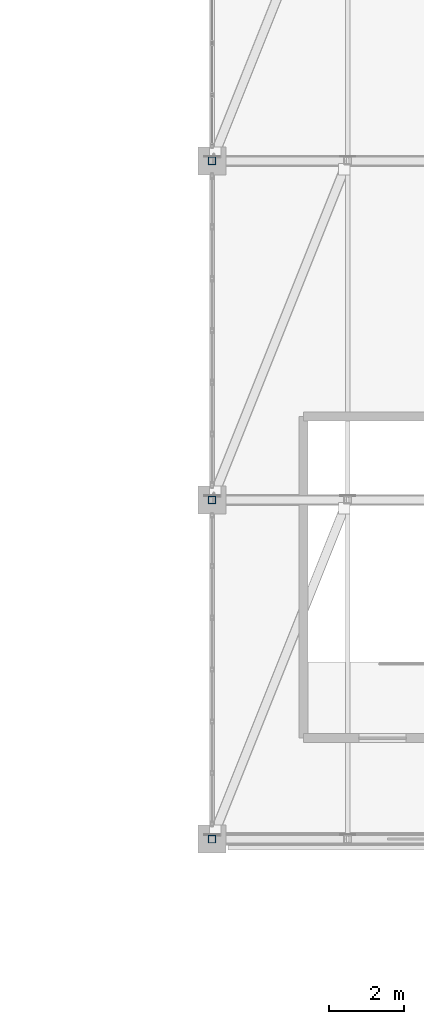
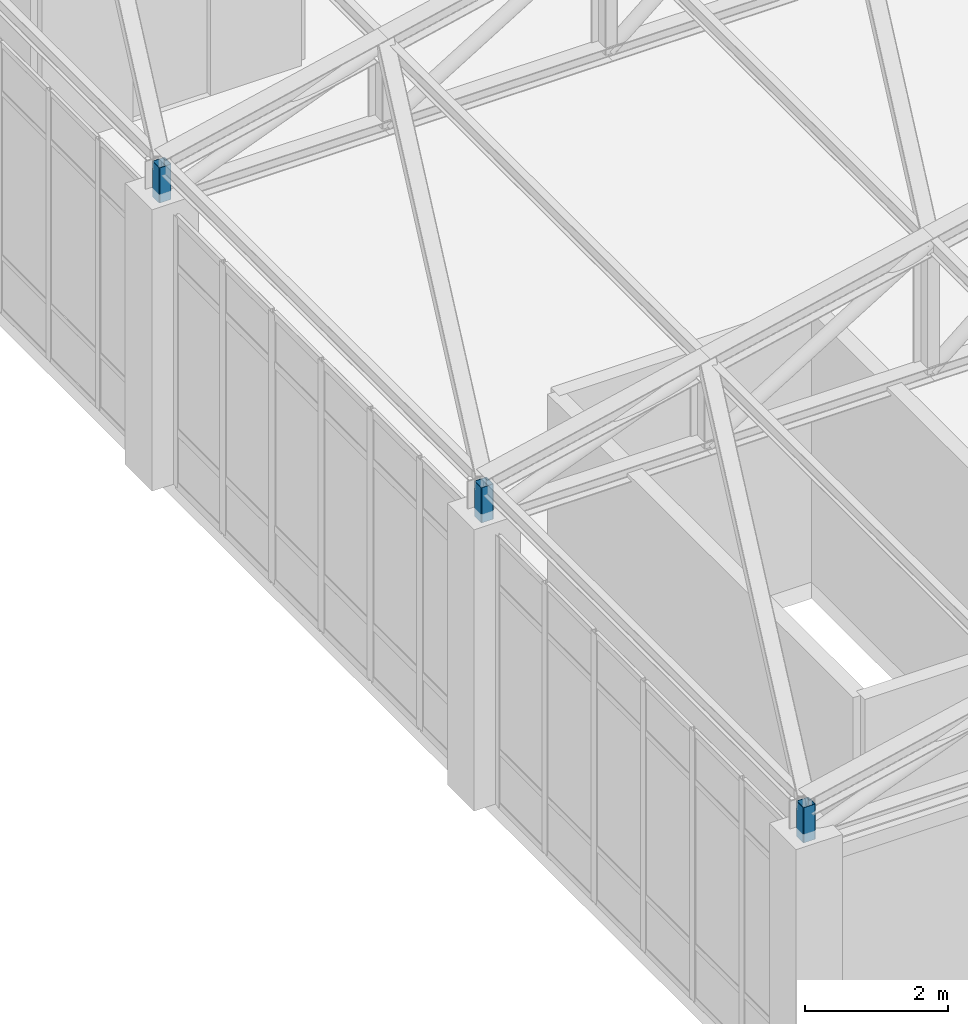
# One storey, part 86 of 139: 3 members.
"""IFC4 building model written with IfcOpenShell, lengths in metres."""

from ifc_helpers import new_model, si_unit, direction, frame, origin, origin_2d, place, context, subcontext, project, spatial, hollow_rectangle, extrude, material, material_profile, profile_set, type_object, element, save


model = new_model("IFC4")

# Units and contexts
model_context = context("Model", 3, precision=1e-05, world=origin(), true_north=direction((0.0, 1.0)))
body_context = subcontext(model_context, "Body", "Model", "MODEL_VIEW")
ifc_project = project(units=[si_unit("LENGTHUNIT", "METRE"), si_unit("AREAUNIT", "SQUARE_METRE"), si_unit("VOLUMEUNIT", "CUBIC_METRE"), si_unit("PLANEANGLEUNIT", "RADIAN"), si_unit("MASSUNIT", "GRAM", prefix="KILO")], contexts=[model_context])

# Site, building, storey
site_placement = place(None, origin())
site = spatial("IfcSite", under=ifc_project, at=site_placement, CompositionType="ELEMENT")
building_placement = place(site_placement, origin())
building = spatial("IfcBuilding", under=site, at=building_placement, Name="Canglan Escarpment Cableway Terminal", CompositionType="ELEMENT")
storey_placement = place(building_placement, frame((0.0, 0.0, 14.39990234375)))
storey = spatial("IfcBuildingStorey", under=building, at=storey_placement, Name="L03", CompositionType="ELEMENT", Elevation=14.39990234375)

# Members
ifc_material = material(Name="Steel Q355B", Category="steel")
ifc_material_profile = material_profile(ifc_material, hollow_rectangle(XDim=0.199951171875, YDim=0.199951171875, WallThickness=0.008056640625, InnerFilletRadius=0.008056640625, OuterFilletRadius=0.01611328125, at=origin_2d()), Name="SHS 200x200x8")
ifc_profile_set = profile_set([ifc_material_profile], Name="Steel Q355B")
member_type = type_object("IfcMemberType", Name="MB-PRATT-WEB-SHS200", PredefinedType="BRACE", material=ifc_profile_set)
for number, where, z_axis, x_axis, name in (
    (1, (115.10009765625, 43.0, 4.650146484375), (0.0, 0.0, 1.0), (1.0, 0.0, 0.0), "Cabin Garage ROOF TRUSS strut PT-WB1"),
    (2, (115.10009765625, 52.0, 4.650146484375), (0.0, 0.0, 1.0), (1.0, 0.0, 0.0), "Cabin Garage ROOF TRUSS strut PT-WB1"),
    (3, (115.10009765625, 61.0, 4.650146484375), (0.0, 0.0, 1.0), (1.0, 0.0, 0.0), "Cabin Garage ROOF TRUSS strut PT-WB1"),
):
    element("IfcMember", number, at=place(storey_placement, frame(where, z_axis=z_axis, x_axis=x_axis)), inside=storey, type_object=member_type, Name=name, PredefinedType="BRACE", context=body_context, shape_type="SweptSolid", body=[
        extrude(hollow_rectangle(XDim=0.199951171875, YDim=0.199951171875, WallThickness=0.008056640625, InnerFilletRadius=0.008056640625, OuterFilletRadius=0.01611328125, at=origin_2d()), origin(), (0.0, 0.0, 1.0), 0.599853515625),
    ])

save(model, "model.ifc")
